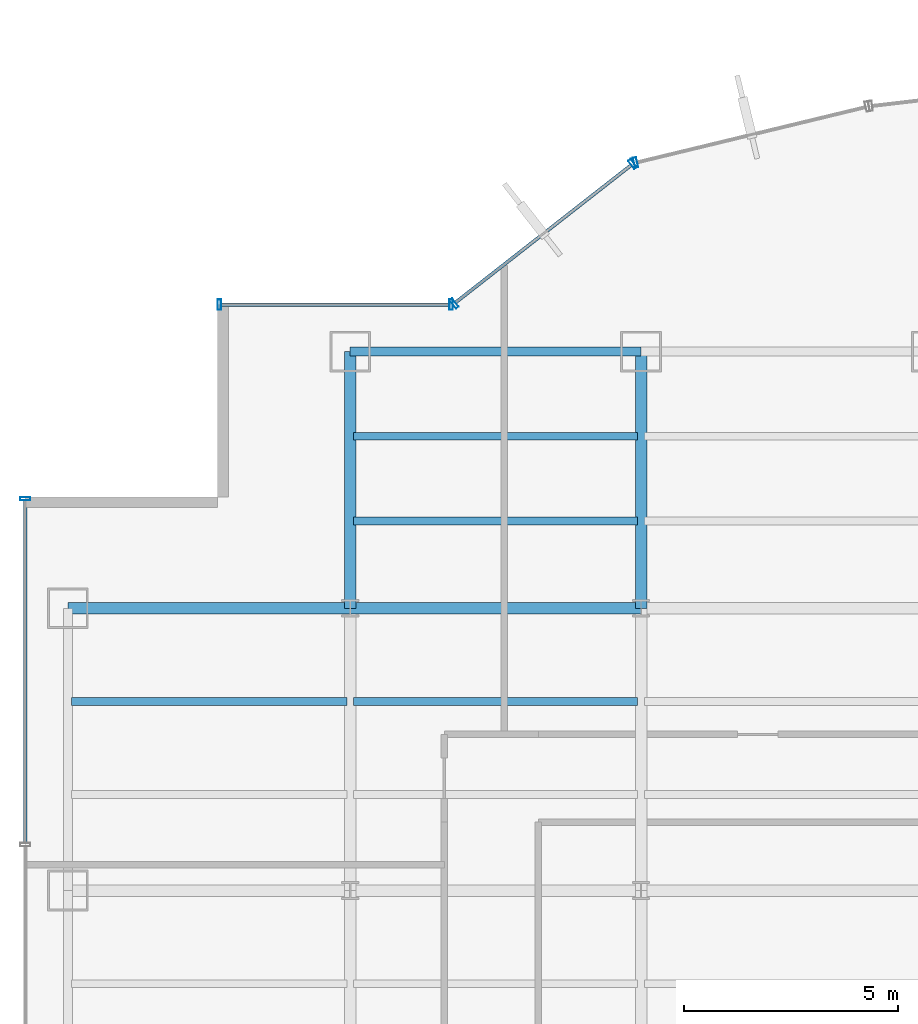
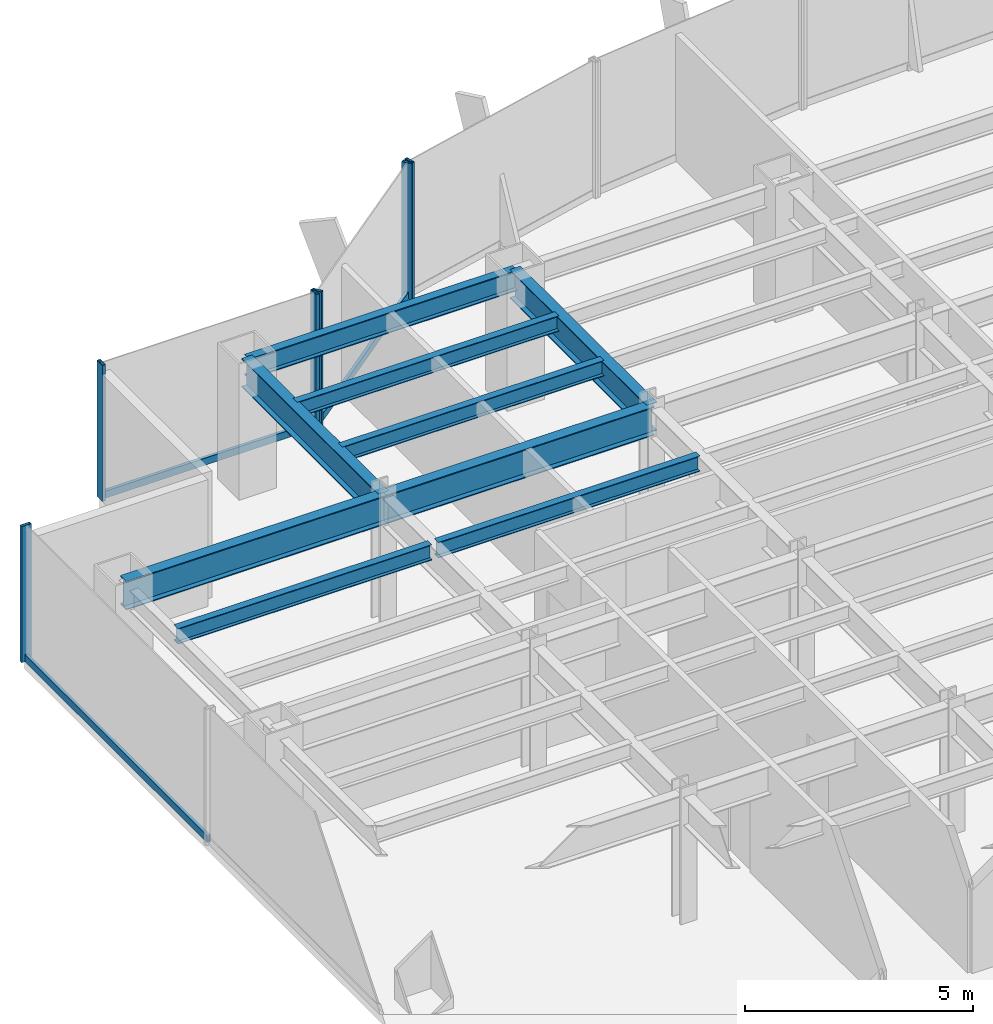
# One storey, part 10 of 22: 9 beams, 9 members, 4 elements without a shape of their own.
"""IFC4 building model written with IfcOpenShell, lengths in metres."""

from ifc_helpers import new_model, si_unit, derived_unit, direction, frame, origin, origin_2d, place, context, subcontext, project, spatial, hollow_rectangle, i_section, extrude, source, transform, mapped, material, material_profile, profile_set, type_object, element, aggregate, save


model = new_model("IFC4")

# Units and contexts
model_context = context("Model", 3, precision=1e-05, world=origin(), true_north=direction((0.0, 1.0)))
body_context = subcontext(model_context, "Body", "Model", "MODEL_VIEW")
ifc_project = project(units=[si_unit("LENGTHUNIT", "METRE"), si_unit("AREAUNIT", "SQUARE_METRE"), si_unit("VOLUMEUNIT", "CUBIC_METRE"), si_unit("PLANEANGLEUNIT", "RADIAN"), si_unit("MASSUNIT", "GRAM", prefix="KILO"), derived_unit("THERMALTRANSMITTANCEUNIT", [(si_unit("POWERUNIT", "WATT"), 1), (si_unit("LENGTHUNIT", "METRE"), -2), (si_unit("THERMODYNAMICTEMPERATUREUNIT", "KELVIN"), -1)])], contexts=[model_context])

# Site, building, storey
site_placement = place(None, origin())
site = spatial("IfcSite", under=ifc_project, at=site_placement, CompositionType="ELEMENT")
building_placement = place(site_placement, origin())
building = spatial("IfcBuilding", under=site, at=building_placement, Name="Skarnbrae Concourse Arena and Tower", CompositionType="ELEMENT")
storey_placement = place(building_placement, frame((0.0, 0.0, 36.14990234375)))
storey = spatial("IfcBuildingStorey", under=building, at=storey_placement, Name="L07", CompositionType="ELEMENT", Elevation=36.14990234375)

# Beams
ifc_material_1 = material(Name="Steel CSA G40.21 350W", Category="steel")
ifc_material_profile_1 = material_profile(ifc_material_1, i_section(OverallWidth=0.26806640625, OverallDepth=0.77001953125, WebThickness=0.015625, FlangeThickness=0.025390625, at=origin_2d()), Name="W760X196")
ifc_profile_set_1 = profile_set([ifc_material_profile_1], Name="Steel CSA G40.21 350W")
beam_type_1 = type_object("IfcBeamType", Name="BM-GIRD-W760X196", PredefinedType="BEAM", material=ifc_profile_set_1)
shared_shape_1 = source(origin(), body_context, "Body", "SweptSolid", [
    extrude(i_section(OverallWidth=0.26806640625, OverallDepth=0.77001953125, WebThickness=0.015625, FlangeThickness=0.025390625, at=origin_2d()), origin(), (0.0, 0.0, 1.0), 6.60009765625),
])
beam_1_placement = place(storey_placement, frame((1.0, 34.39990234375, 3.01513671875), z_axis=(1.0, 0.0, 0.0), x_axis=(0.0, 1.0, 0.0)))
element("IfcBeam", 1, at=beam_1_placement, inside=storey, type_object=beam_type_1, Name="L07 Primary E-W girder Y34.4-1", PredefinedType="BEAM", context=body_context, shape_type="MappedRepresentation", body=[
    mapped(shared_shape_1, transform((0.0, 0.0, 0.0))),
])
shared_shape_2 = source(origin(), body_context, "Body", "SweptSolid", [
    extrude(i_section(OverallWidth=0.26806640625, OverallDepth=0.77001953125, WebThickness=0.015625, FlangeThickness=0.025390625, at=origin_2d()), origin(), (0.0, 0.0, 1.0), 6.7998046875),
])
beam_2_placement = place(storey_placement, frame((7.60009765625, 34.39990234375, 3.01513671875), z_axis=(1.0, 0.0, 0.0), x_axis=(0.0, 1.0, 0.0)))
element("IfcBeam", 2, at=beam_2_placement, inside=storey, type_object=beam_type_1, Name="L07 Primary E-W girder Y34.4-2", PredefinedType="BEAM", context=body_context, shape_type="MappedRepresentation", body=[
    mapped(shared_shape_2, transform((0.0, 0.0, 0.0))),
])
shared_shape_3 = source(origin(), body_context, "Body", "SweptSolid", [
    extrude(i_section(OverallWidth=0.26806640625, OverallDepth=0.77001953125, WebThickness=0.015625, FlangeThickness=0.025390625, at=origin_2d()), origin(), (0.0, 0.0, 1.0), 6.0),
])
for number, where, z_axis, x_axis, name in (
    (3, (7.60009765625, 34.39990234375, 3.01513671875), (0.0, 1.0, 0.0), (-1.0, 0.0, 0.0), "L07 Primary N-S girder X7.6-4"),
    (4, (14.39990234375, 34.39990234375, 3.01513671875), (0.0, 1.0, 0.0), (-1.0, 0.0, 0.0), "L07 Primary N-S girder X14.4-4"),
):
    element("IfcBeam", number, at=place(storey_placement, frame(where, z_axis=z_axis, x_axis=x_axis)), inside=storey, type_object=beam_type_1, Name=name, PredefinedType="BEAM", context=body_context, shape_type="MappedRepresentation", body=[
        mapped(shared_shape_3, transform((0.0, 0.0, 0.0))),
    ])
ifc_material_profile_2 = material_profile(ifc_material_1, i_section(OverallWidth=0.214111328125, OverallDepth=0.549072265625, WebThickness=0.0146484375, FlangeThickness=0.023681640625, at=origin_2d()), Name="W530X138")
ifc_profile_set_2 = profile_set([ifc_material_profile_2], Name="Steel CSA G40.21 350W")
beam_type_2 = type_object("IfcBeamType", Name="BM-SPAN-W530X138", PredefinedType="SPANDREL", material=ifc_profile_set_2)
shared_shape_4 = source(origin(), body_context, "Body", "SweptSolid", [
    extrude(i_section(OverallWidth=0.214111328125, OverallDepth=0.549072265625, WebThickness=0.0146484375, FlangeThickness=0.023681640625, at=origin_2d()), origin(), (0.0, 0.0, 1.0), 6.7998046875),
])
beam_3_placement = place(storey_placement, frame((7.60009765625, 40.39990234375, 3.12548828125), z_axis=(1.0, 0.0, 0.0), x_axis=(0.0, 1.0, 0.0)))
element("IfcBeam", 5, at=beam_3_placement, inside=storey, type_object=beam_type_2, Name="L07 Perimeter spandrel Y40.4-1", PredefinedType="SPANDREL", context=body_context, shape_type="MappedRepresentation", body=[
    mapped(shared_shape_4, transform((0.0, 0.0, 0.0))),
])
ifc_material_profile_3 = material_profile(ifc_material_1, i_section(OverallWidth=0.180908203125, OverallDepth=0.4169921875, WebThickness=0.010986328125, FlangeThickness=0.018310546875, at=origin_2d()), Name="W410X85")
ifc_profile_set_3 = profile_set([ifc_material_profile_3], Name="Steel CSA G40.21 350W")
beam_type_3 = type_object("IfcBeamType", Name="BM-JOIST-W410X85", PredefinedType="JOIST", material=ifc_profile_set_3)
shared_shape_5 = source(origin(), body_context, "Body", "SweptSolid", [
    extrude(i_section(OverallWidth=0.180908203125, OverallDepth=0.4169921875, WebThickness=0.010986328125, FlangeThickness=0.018310546875, at=origin_2d()), origin(), (0.0, 0.0, 1.0), 6.43994140625),
])
beam_4_placement = place(storey_placement, frame((1.080078125, 32.221923828125, 3.191650390625), z_axis=(1.0, 0.0, 0.0), x_axis=(0.0, 1.0, 0.0)))
element("IfcBeam", 6, at=beam_4_placement, inside=storey, type_object=beam_type_3, Name="L07 Secondary floor joist 3.2.1", PredefinedType="JOIST", context=body_context, shape_type="MappedRepresentation", body=[
    mapped(shared_shape_5, transform((0.0, 0.0, 0.0))),
])
shared_shape_6 = source(origin(), body_context, "Body", "SweptSolid", [
    extrude(i_section(OverallWidth=0.180908203125, OverallDepth=0.4169921875, WebThickness=0.010986328125, FlangeThickness=0.018310546875, at=origin_2d()), origin(), (0.0, 0.0, 1.0), 6.64013671875),
])
for number, where, z_axis, x_axis, name in (
    (7, (7.679931640625, 32.221923828125, 3.191650390625), (1.0, 0.0, 0.0), (0.0, 1.0, 0.0), "L07 Secondary floor joist 3.2.2"),
    (8, (7.679931640625, 36.43994140625, 3.191650390625), (1.0, 0.0, 0.0), (0.0, 1.0, 0.0), "L07 Secondary floor joist 4.1.1"),
    (9, (7.679931640625, 38.419921875, 3.191650390625), (1.0, 0.0, 0.0), (0.0, 1.0, 0.0), "L07 Secondary floor joist 4.2.1"),
):
    element("IfcBeam", number, at=place(storey_placement, frame(where, z_axis=z_axis, x_axis=x_axis)), inside=storey, type_object=beam_type_3, Name=name, PredefinedType="JOIST", context=body_context, shape_type="MappedRepresentation", body=[
        mapped(shared_shape_6, transform((0.0, 0.0, 0.0))),
    ])

# Curtain wall, member
ifc_material_2 = material(Name="Bronze anodised aluminium 6063-T6", Category="aluminium")
curtain_wall_type = type_object("IfcCurtainWallType", Name="CW-SYS-02-LOWZONE", PredefinedType="USERDEFINED", material=ifc_material_2)
curtain_wall_1_placement = place(storey_placement, origin())
curtain_wall_1 = element("IfcCurtainWall", 10, at=curtain_wall_1_placement, inside=storey, type_object=curtain_wall_type, Name="L07 Unitised curtain wall CW-L07-E16", ObjectType="UNITISED CURTAIN WALL", PredefinedType="USERDEFINED")
ifc_material_profile_4 = material_profile(ifc_material_2, hollow_rectangle(XDim=0.080078125, YDim=0.18994140625, WallThickness=0.0048828125, at=origin_2d()), Name="ALU-TRAN-80X190")
ifc_profile_set_4 = profile_set([ifc_material_profile_4], Name="Bronze anodised aluminium 6063-T6")
member_type_1 = type_object("IfcMemberType", Name="CWT-CW-02", PredefinedType="USERDEFINED", material=ifc_profile_set_4)
shared_shape_7 = source(origin(), body_context, "Body", "SweptSolid", [
    extrude(hollow_rectangle(XDim=0.080078125, YDim=0.18994140625, WallThickness=0.0048828125, at=origin_2d()), origin(), (0.0, 0.0, 1.0), 5.33984375),
])
member_1_placement = place(storey_placement, frame((9.919921875, 41.5, 0.09521484375), z_axis=(-1.0, 0.0, 0.0), x_axis=(0.0, -1.0, 0.0)))
member_1 = element("IfcMember", 11, at=member_1_placement, type_object=member_type_1, Name="CW-L07-E16 Transom 1", ObjectType="TRANSOM", PredefinedType="USERDEFINED", context=body_context, shape_type="MappedRepresentation", body=[
    mapped(shared_shape_7, transform((0.0, 0.0, 0.0))),
])

curtain_wall_2_placement = place(storey_placement, origin())
curtain_wall_2 = element("IfcCurtainWall", 12, at=curtain_wall_2_placement, inside=storey, type_object=curtain_wall_type, Name="L07 Unitised curtain wall CW-L07-E15", ObjectType="UNITISED CURTAIN WALL", PredefinedType="USERDEFINED")
shared_shape_8 = source(origin(), body_context, "Body", "SweptSolid", [
    extrude(hollow_rectangle(XDim=0.080078125, YDim=0.18994140625, WallThickness=0.0048828125, at=origin_2d()), origin(), (0.0, 0.0, 1.0), 5.215087890625),
])
member_2_placement = place(storey_placement, frame((14.170654296875, 44.762451171875, 0.09521484375), z_axis=(-0.787650196702, -0.616122688784, 0.0), x_axis=(0.616122688784, -0.787650196702, 0.0)))
member_2 = element("IfcMember", 13, at=member_2_placement, type_object=member_type_1, Name="CW-L07-E15 Transom 1", ObjectType="TRANSOM", PredefinedType="USERDEFINED", context=body_context, shape_type="MappedRepresentation", body=[
    mapped(shared_shape_8, transform((0.0, 0.0, 0.0))),
])

curtain_wall_3_placement = place(storey_placement, origin())
curtain_wall_3 = element("IfcCurtainWall", 14, at=curtain_wall_3_placement, inside=storey, type_object=curtain_wall_type, Name="L07 Unitised curtain wall CW-L07-E19", ObjectType="UNITISED CURTAIN WALL", PredefinedType="USERDEFINED")
shared_shape_9 = source(origin(), body_context, "Body", "SweptSolid", [
    extrude(hollow_rectangle(XDim=0.080078125, YDim=0.18994140625, WallThickness=0.0048828125, at=origin_2d()), origin(), (0.0, 0.0, 1.0), 8.0048828125),
])
member_3_placement = place(storey_placement, frame((0.0, 36.919921875, 0.09521484375), z_axis=(0.0, -1.0, 0.0), x_axis=(1.0, 0.0, 0.0)))
member_3 = element("IfcMember", 15, at=member_3_placement, type_object=member_type_1, Name="CW-L07-E19 Transom 1", ObjectType="TRANSOM", PredefinedType="USERDEFINED", context=body_context, shape_type="MappedRepresentation", body=[
    mapped(shared_shape_9, transform((0.0, 0.0, 0.0))),
])

curtain_wall_4_placement = place(storey_placement, origin())
curtain_wall_4 = element("IfcCurtainWall", 16, at=curtain_wall_4_placement, inside=storey, type_object=curtain_wall_type, Name="L07 Unitised curtain wall CW-L07-E14", ObjectType="UNITISED CURTAIN WALL", PredefinedType="USERDEFINED")
ifc_material_profile_5 = material_profile(ifc_material_2, hollow_rectangle(XDim=0.080078125, YDim=0.239990234375, WallThickness=0.0048828125, at=origin_2d()), Name="ALU-MULL-80X240")
ifc_profile_set_5 = profile_set([ifc_material_profile_5], Name="Bronze anodised aluminium 6063-T6")
member_type_2 = type_object("IfcMemberType", Name="CWM-CW-02", PredefinedType="MULLION", material=ifc_profile_set_5)
shared_shape_10 = source(origin(), body_context, "Body", "SweptSolid", [
    extrude(hollow_rectangle(XDim=0.080078125, YDim=0.239990234375, WallThickness=0.0048828125, at=origin_2d()), origin(), (0.0, 0.0, 1.0), 3.650146484375),
])
member_4_placement = place(storey_placement, frame((14.272705078125, 44.821044921875, 0.0), z_axis=(0.0, 0.0, 1.0), x_axis=(-0.971973721569, -0.235089524607, 0.0)))
member_4 = element("IfcMember", 17, at=member_4_placement, type_object=member_type_2, Name="CW-L07-E14 Mullion 2", PredefinedType="MULLION", context=body_context, shape_type="MappedRepresentation", body=[
    mapped(shared_shape_10, transform((0.0, 0.0, 0.0))),
])
aggregate(curtain_wall_4, [member_4])

# Member
member_5_placement = place(storey_placement, frame((14.2021484375, 44.787109375, 0.0), z_axis=(0.0, 0.0, 1.0), x_axis=(-0.787651726054, -0.616120733658, 0.0)))
member_5 = element("IfcMember", 18, at=member_5_placement, type_object=member_type_2, Name="CW-L07-E15 Mullion 1", PredefinedType="MULLION", context=body_context, shape_type="MappedRepresentation", body=[
    mapped(shared_shape_10, transform((0.0, 0.0, 0.0))),
])

member_6_placement = place(storey_placement, frame((10.031494140625, 41.524658203125, 0.0), z_axis=(0.0, 0.0, 1.0), x_axis=(-0.787651726054, -0.616120733658, 0.0)))
member_6 = element("IfcMember", 19, at=member_6_placement, type_object=member_type_2, Name="CW-L07-E15 Mullion 2", PredefinedType="MULLION", context=body_context, shape_type="MappedRepresentation", body=[
    mapped(shared_shape_10, transform((0.0, 0.0, 0.0))),
])

aggregate(curtain_wall_2, [member_5, member_6, member_2])

member_7_placement = place(storey_placement, frame((9.9599609375, 41.5, 0.0), z_axis=(0.0, 0.0, 1.0), x_axis=(-1.0, 0.0, 0.0)))
member_7 = element("IfcMember", 20, at=member_7_placement, type_object=member_type_2, Name="CW-L07-E16 Mullion 1", PredefinedType="MULLION", context=body_context, shape_type="MappedRepresentation", body=[
    mapped(shared_shape_10, transform((0.0, 0.0, 0.0))),
])

member_8_placement = place(storey_placement, frame((4.5400390625, 41.5, 0.0), z_axis=(0.0, 0.0, 1.0), x_axis=(-1.0, 0.0, 0.0)))
member_8 = element("IfcMember", 21, at=member_8_placement, type_object=member_type_2, Name="CW-L07-E16 Mullion 2", PredefinedType="MULLION", context=body_context, shape_type="MappedRepresentation", body=[
    mapped(shared_shape_10, transform((0.0, 0.0, 0.0))),
])

aggregate(curtain_wall_1, [member_7, member_8, member_1])

member_9_placement = place(storey_placement, frame((0.0, 36.9599609375, 0.0), z_axis=(0.0, 0.0, 1.0), x_axis=(0.0, -1.0, 0.0)))
member_9 = element("IfcMember", 22, at=member_9_placement, type_object=member_type_2, Name="CW-L07-E19 Mullion 1", PredefinedType="MULLION", context=body_context, shape_type="MappedRepresentation", body=[
    mapped(shared_shape_10, transform((0.0, 0.0, 0.0))),
])

aggregate(curtain_wall_3, [member_9, member_3])

save(model, "model.ifc")
